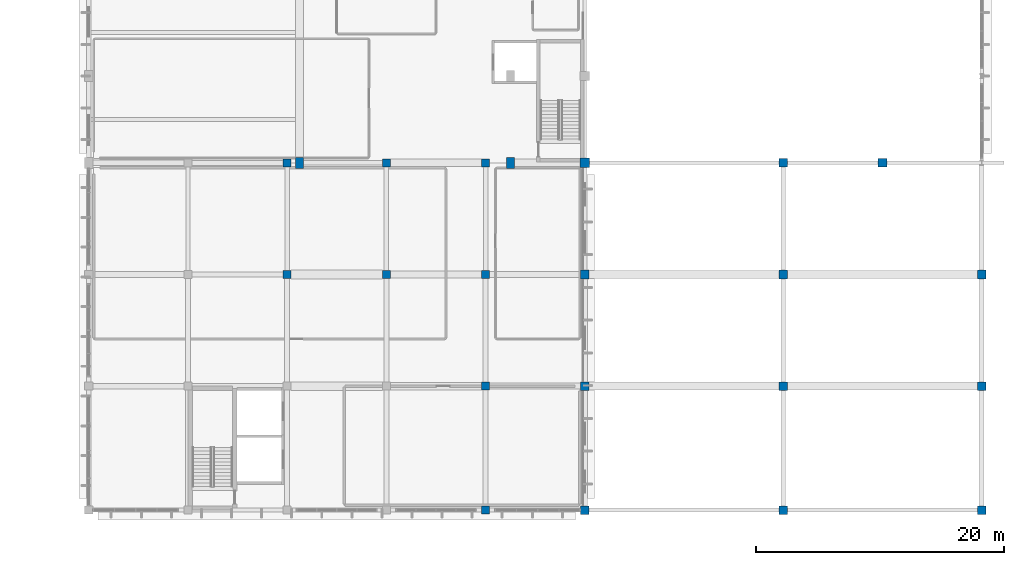
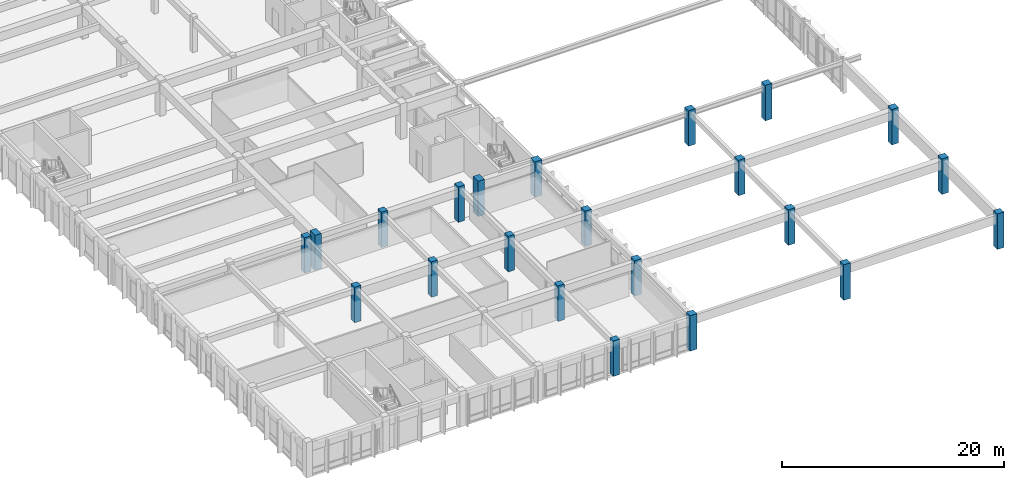
# One storey, part 2 of 98: 22 columns.
"""IFC4 building model written with IfcOpenShell, lengths in metres."""

import ifcopenshell
import ifcopenshell.guid

model = None  # the IFC model being written
_history = None  # IfcOwnerHistory: only IFC2X3 demands one
_inside = {}  # id of a spatial element -> (the spatial element, [elements in it])
_under = {}  # id of a project, library or spatial element -> (it, [spatial elements below it])
_declared = {}  # id of a project -> (the project, [libraries it declares])
_typed = {}  # id of a type object -> (the type object, [elements of that type])
_made_of = {}  # id of a material, layer set ... -> (it, [elements and type objects made of it])


def new_model(schema):
    """Start an empty IFC model of exactly this schema.

    Asked for "IFC4X3", IfcOpenShell would pick the latest addendum, in which some entities
    have other attributes; the version numbers below select the first issue.
    IFC2X3 requires an IfcOwnerHistory on every rooted entity: one is made here for all.
    """
    global model, _history
    if schema == "IFC4X3":
        model = ifcopenshell.file(schema_version=(4, 3, 0, 0))
    else:
        model = ifcopenshell.file(schema=schema)
    _inside.clear()
    _under.clear()
    _declared.clear()
    _typed.clear()
    _made_of.clear()
    _history = None
    if model.schema == "IFC2X3":
        org = make("IfcOrganization", Name="unknown")
        user = make(
            "IfcPersonAndOrganization",
            ThePerson=make("IfcPerson", FamilyName="unknown"),
            TheOrganization=org,
        )
        app = make(
            "IfcApplication",
            ApplicationDeveloper=org,
            Version="unknown",
            ApplicationFullName="unknown",
            ApplicationIdentifier="unknown",
        )
        _history = make(
            "IfcOwnerHistory",
            OwningUser=user,
            OwningApplication=app,
            ChangeAction="ADDED",
            CreationDate=0,
        )
    return model


def make(cls, **values):
    """One entity of the class cls with the attributes given. An attribute that is None is left unset."""
    return model.create_entity(
        cls, **{name: value for name, value in values.items() if value is not None}
    )


def rooted(cls, **values):
    """An entity with a GlobalId (a new one), such as an element, a storey or a relation."""
    return make(cls, GlobalId=ifcopenshell.guid.new(), OwnerHistory=_history, **values)


def si_unit(unit_type, name, prefix=None):
    """IfcSIUnit, for example si_unit("LENGTHUNIT", "METRE", prefix="MILLI")."""
    return make("IfcSIUnit", UnitType=unit_type, Prefix=prefix, Name=name)


def assignment(units):
    """IfcUnitAssignment: the units of a project."""
    return None if units is None else make("IfcUnitAssignment", Units=units)


def point(xyz):
    """IfcCartesianPoint."""
    return None if xyz is None else make("IfcCartesianPoint", Coordinates=xyz)


def direction(xyz):
    """IfcDirection."""
    return None if xyz is None else make("IfcDirection", DirectionRatios=xyz)


def frame(location, z_axis=None, x_axis=None):
    """IfcAxis2Placement3D, a coordinate frame: its origin and axes. An axis left out is left unset."""
    return make(
        "IfcAxis2Placement3D",
        Location=point(location),
        Axis=direction(z_axis),
        RefDirection=direction(x_axis),
    )


def frame_2d(location, x_axis=None):
    """IfcAxis2Placement2D, a coordinate frame in the plane: its origin and x axis."""
    return make(
        "IfcAxis2Placement2D", Location=point(location), RefDirection=direction(x_axis)
    )


def origin():
    """The frame at (0, 0, 0) with its axes left unset."""
    return frame((0.0, 0.0, 0.0))


def origin_2d():
    """The frame at (0, 0) in the plane with its x axis left unset."""
    return frame_2d((0.0, 0.0))


def place(relative_to, where):
    """IfcLocalPlacement: puts the frame where relative to a parent placement (None: the world)."""
    return make(
        "IfcLocalPlacement", PlacementRelTo=relative_to, RelativePlacement=where
    )


def context(
    kind, dimensions, precision=None, world=None, true_north=None, identifier=None
):
    """IfcGeometricRepresentationContext, for example the 3D "Model" context."""
    return make(
        "IfcGeometricRepresentationContext",
        ContextIdentifier=identifier,
        ContextType=kind,
        CoordinateSpaceDimension=dimensions,
        Precision=precision,
        WorldCoordinateSystem=world,
        TrueNorth=true_north,
    )


def subcontext(parent, identifier, kind, view, scale=None):
    """IfcGeometricRepresentationSubContext, for example "Body" below "Model"."""
    return make(
        "IfcGeometricRepresentationSubContext",
        ContextIdentifier=identifier,
        ContextType=kind,
        ParentContext=parent,
        TargetScale=scale,
        TargetView=view,
    )


def project(units=None, contexts=None):
    """IfcProject with its units and contexts."""
    return rooted(
        "IfcProject",
        Name="project",
        RepresentationContexts=contexts,
        UnitsInContext=assignment(units),
    )


def spatial(cls, under=None, at=None, **own):
    """A site, building, storey or space (cls), placed at a placement, below another one or the project."""
    s = rooted(cls, ObjectPlacement=at, **own)
    if under is not None:
        _under.setdefault(under.id(), (under, []))[1].append(s)
    return s


def profile(cls, at=None, kind="AREA", **sizes):
    """A parametric profile (cls). Its sizes go by their IFC names, for example OverallWidth=200.0."""
    return make(cls, ProfileType=kind, Position=at, **sizes)


def rectangle(**sizes):
    """IfcRectangleProfileDef."""
    return profile("IfcRectangleProfileDef", **sizes)


def extrude(swept, where, along, depth):
    """IfcExtrudedAreaSolid: the profile swept, set in the frame where, extruded along a direction by depth."""
    return make(
        "IfcExtrudedAreaSolid",
        SweptArea=swept,
        Position=where,
        ExtrudedDirection=direction(along),
        Depth=depth,
    )


def shape(context_of_items, identifier, shape_type, items):
    """IfcShapeRepresentation: the items that make up one representation, for example the "Body"."""
    return make(
        "IfcShapeRepresentation",
        ContextOfItems=context_of_items,
        RepresentationIdentifier=identifier,
        RepresentationType=shape_type,
        Items=items,
    )


def material(Name=None, Category=None):
    """IfcMaterial."""
    return make("IfcMaterial", Name=Name, Category=Category)


def material_profile(
    of_material, cross_section, Name=None, Category=None, Priority=None
):
    """IfcMaterialProfile: a cross section and its material."""
    return make(
        "IfcMaterialProfile",
        Name=Name,
        Material=of_material,
        Profile=cross_section,
        Priority=Priority,
        Category=Category,
    )


def profile_set(profiles, Name=None, composite=None):
    """IfcMaterialProfileSet."""
    return make(
        "IfcMaterialProfileSet",
        Name=Name,
        MaterialProfiles=profiles,
        CompositeProfile=composite,
    )


def made_of(thing, what):
    """Note that an element or type object is made of a material, layer set ...; save() writes the relation."""
    if what is not None:
        _made_of.setdefault(what.id(), (what, []))[1].append(thing)
    return thing


def type_object(cls, material=None, **own):
    """A type object (cls), such as IfcWallType, which elements share."""
    return made_of(rooted(cls, **own), material)


def element(
    cls,
    number,
    at=None,
    inside=None,
    cuts=None,
    type_object=None,
    material=None,
    context=None,
    identifier="Body",
    shape_type=None,
    held_by="IfcProductDefinitionShape",
    body=None,
    shapes=None,
    **own,
):
    """One element of the class cls, such as IfcWall. Its Tag is "e" and its number.

    at: its placement. inside: the storey or other place that contains it. cuts: it is an
    opening in that element (IfcRelVoidsElement). A single representation is given by context,
    identifier, shape_type and body (its items); several are given by shapes. held_by: the class
    of the entity that holds the representations. save() writes the other relations.
    """
    e = rooted(cls, Tag="e%d" % number, ObjectPlacement=at, **own)
    if body is not None:
        shapes = [shape(context, identifier, shape_type, body)]
    if shapes is not None:
        e.Representation = make(held_by, Representations=shapes)
    if inside is not None:
        _inside.setdefault(inside.id(), (inside, []))[1].append(e)
    if cuts is not None:
        rooted(
            "IfcRelVoidsElement", RelatingBuildingElement=cuts, RelatedOpeningElement=e
        )
    if type_object is not None:
        _typed.setdefault(type_object.id(), (type_object, []))[1].append(e)
    return made_of(e, material)


def aggregate(whole, parts):
    """IfcRelAggregates: a whole, such as a stair, and the parts it consists of."""
    return rooted("IfcRelAggregates", RelatingObject=whole, RelatedObjects=parts)


def save(model, path):
    """Write the relations noted so far, then the file.

    IfcRelAggregates (storeys below a building ...), IfcRelContainedInSpatialStructure (elements
    in a storey), IfcRelDefinesByType, IfcRelAssociatesMaterial and IfcRelDeclares: one each for
    every whole, place, type object, material and project.
    """
    for whole, parts in _under.values():
        aggregate(whole, parts)
    for where, things in _inside.values():
        rooted(
            "IfcRelContainedInSpatialStructure",
            RelatedElements=things,
            RelatingStructure=where,
        )
    for kind, things in _typed.values():
        rooted("IfcRelDefinesByType", RelatedObjects=things, RelatingType=kind)
    for what, things in _made_of.values():
        rooted("IfcRelAssociatesMaterial", RelatedObjects=things, RelatingMaterial=what)
    for by, libraries in _declared.values():
        rooted("IfcRelDeclares", RelatingContext=by, RelatedDefinitions=libraries)
    model.write(path)


model = new_model("IFC4")

# Units and contexts
model_context = context("Model", 3, precision=1e-05, world=origin(), true_north=direction((0.0, 1.0)))
body_context = subcontext(model_context, "Body", "Model", "MODEL_VIEW")
ifc_project = project(units=[si_unit("LENGTHUNIT", "METRE"), si_unit("AREAUNIT", "SQUARE_METRE"), si_unit("VOLUMEUNIT", "CUBIC_METRE"), si_unit("PLANEANGLEUNIT", "RADIAN"), si_unit("MASSUNIT", "GRAM", prefix="KILO")], contexts=[model_context])

# Site, building, storey
site_placement = place(None, origin())
site = spatial("IfcSite", under=ifc_project, at=site_placement, CompositionType="ELEMENT")
building_placement = place(site_placement, origin())
building = spatial("IfcBuilding", under=site, at=building_placement, Name="Larkveld Mobility Hub", CompositionType="ELEMENT")
storey_placement = place(building_placement, frame((0.0, 0.0, 4.5)))
storey = spatial("IfcBuildingStorey", under=building, at=storey_placement, Name="L01", CompositionType="ELEMENT", Elevation=4.5)

# Columns
ifc_material_1 = material(Name="Precast concrete C50/60", Category="concrete")
ifc_material_profile_1 = material_profile(ifc_material_1, rectangle(XDim=0.64990234375, YDim=0.89990234375, at=origin_2d()), Name="RC COL 650x900")
ifc_profile_set_1 = profile_set([ifc_material_profile_1], Name="Precast concrete C50/60")
column_type_1 = type_object("IfcColumnType", Name="CL-PC6590", PredefinedType="COLUMN", material=ifc_profile_set_1)
for number, where, z_axis, x_axis, name in (
    (1, (129.0, 28.0, 0.0), (0.0, 0.0, 1.0), (1.0, 0.0, 0.0), "Column EV-X129-Y28 (L01)"),
    (2, (146.0, 28.0, 0.0), (0.0, 0.0, 1.0), (1.0, 0.0, 0.0), "Column EV-X146-Y28 (L01)"),
):
    element("IfcColumn", number, at=place(storey_placement, frame(where, z_axis=z_axis, x_axis=x_axis)), inside=storey, type_object=column_type_1, Name=name, PredefinedType="COLUMN", context=body_context, shape_type="SweptSolid", body=[
        extrude(rectangle(XDim=0.64990234375, YDim=0.89990234375, at=origin_2d()), origin(), (0.0, 0.0, 1.0), 3.89990234375),
    ])
ifc_material_2 = material(Name="Concrete C40/50", Category="concrete")
ifc_material_profile_2 = material_profile(ifc_material_2, rectangle(XDim=0.64990234375, YDim=0.64990234375, at=origin_2d()), Name="RC COL 650x650")
ifc_profile_set_2 = profile_set([ifc_material_profile_2], Name="Concrete C40/50")
column_type_2 = type_object("IfcColumnType", Name="CL-RC650", PredefinedType="COLUMN", material=ifc_profile_set_2)
for number, where, z_axis, x_axis, name in (
    (3, (128.0, 19.0, 0.0), (0.0, 0.0, 1.0), (1.0, 0.0, 0.0), "Column V6-X128-Y19 (L01)"),
    (4, (128.0, 28.0, 0.0), (0.0, 0.0, 1.0), (1.0, 0.0, 0.0), "Column V6-X128-Y28 (L01)"),
    (5, (136.0, 19.0, 0.0), (0.0, 0.0, 1.0), (1.0, 0.0, 0.0), "Column V6-X136-Y19 (L01)"),
    (6, (136.0, 28.0, 0.0), (0.0, 0.0, 1.0), (1.0, 0.0, 0.0), "Column V6-X136-Y28 (L01)"),
    (7, (144.0, 0.0, 0.0), (0.0, 0.0, 1.0), (1.0, 0.0, 0.0), "Column V6-X144-Y0 (L01)"),
    (8, (144.0, 10.0, 0.0), (0.0, 0.0, 1.0), (1.0, 0.0, 0.0), "Column V6-X144-Y10 (L01)"),
    (9, (144.0, 19.0, 0.0), (0.0, 0.0, 1.0), (1.0, 0.0, 0.0), "Column V6-X144-Y19 (L01)"),
    (10, (144.0, 28.0, 0.0), (0.0, 0.0, 1.0), (1.0, 0.0, 0.0), "Column V6-X144-Y28 (L01)"),
):
    element("IfcColumn", number, at=place(storey_placement, frame(where, z_axis=z_axis, x_axis=x_axis)), inside=storey, type_object=column_type_2, Name=name, PredefinedType="COLUMN", context=body_context, shape_type="SweptSolid", body=[
        extrude(rectangle(XDim=0.64990234375, YDim=0.64990234375, at=origin_2d()), origin(), (0.0, 0.0, 1.0), 3.89990234375),
    ])
ifc_material_profile_3 = material_profile(ifc_material_2, rectangle(XDim=0.699951171875, YDim=0.699951171875, at=origin_2d()), Name="RC COL 700x700")
ifc_profile_set_3 = profile_set([ifc_material_profile_3], Name="Concrete C40/50")
column_type_3 = type_object("IfcColumnType", Name="CL-RC700", PredefinedType="COLUMN", material=ifc_profile_set_3)
for number, where, z_axis, x_axis, name in (
    (11, (152.0, 0.0, 0.0), (0.0, 0.0, 1.0), (1.0, 0.0, 0.0), "Column V6-X152-Y0 (L01)"),
    (12, (152.0, 10.0, 0.0), (0.0, 0.0, 1.0), (1.0, 0.0, 0.0), "Column V6-X152-Y10 (L01)"),
    (13, (152.0, 19.0, 0.0), (0.0, 0.0, 1.0), (1.0, 0.0, 0.0), "Column V6-X152-Y19 (L01)"),
    (14, (168.0, 0.0, 0.0), (0.0, 0.0, 1.0), (1.0, 0.0, 0.0), "Column V6-X168-Y0 (L01)"),
    (15, (168.0, 10.0, 0.0), (0.0, 0.0, 1.0), (1.0, 0.0, 0.0), "Column V6-X168-Y10 (L01)"),
    (16, (168.0, 19.0, 0.0), (0.0, 0.0, 1.0), (1.0, 0.0, 0.0), "Column V6-X168-Y19 (L01)"),
    (17, (168.0, 28.0, 0.0), (0.0, 0.0, 1.0), (1.0, 0.0, 0.0), "Column V6-X168-Y28 (L01)"),
    (18, (176.0, 28.0, 0.0), (0.0, 0.0, 1.0), (1.0, 0.0, 0.0), "Column V6-X176-Y28 (L01)"),
    (19, (184.0, 0.0, 0.0), (0.0, 0.0, 1.0), (1.0, 0.0, 0.0), "Column V6-X184-Y0 (L01)"),
    (20, (184.0, 10.0, 0.0), (0.0, 0.0, 1.0), (1.0, 0.0, 0.0), "Column V6-X184-Y10 (L01)"),
    (21, (184.0, 19.0, 0.0), (0.0, 0.0, 1.0), (1.0, 0.0, 0.0), "Column V6-X184-Y19 (L01)"),
):
    element("IfcColumn", number, at=place(storey_placement, frame(where, z_axis=z_axis, x_axis=x_axis)), inside=storey, type_object=column_type_3, Name=name, PredefinedType="COLUMN", context=body_context, shape_type="SweptSolid", body=[
        extrude(rectangle(XDim=0.699951171875, YDim=0.699951171875, at=origin_2d()), origin(), (0.0, 0.0, 1.0), 3.89990234375),
    ])
ifc_material_profile_4 = material_profile(ifc_material_2, rectangle(XDim=0.75, YDim=0.75, at=origin_2d()), Name="RC COL 750x750")
ifc_profile_set_4 = profile_set([ifc_material_profile_4], Name="Concrete C40/50")
column_type_4 = type_object("IfcColumnType", Name="CL-RC750", PredefinedType="COLUMN", material=ifc_profile_set_4)
column_placement = place(storey_placement, frame((152.0, 28.0, 0.0), z_axis=(0.0, 0.0, 1.0), x_axis=(1.0, 0.0, 0.0)))
element("IfcColumn", 22, at=column_placement, inside=storey, type_object=column_type_4, Name="Column EV-X152-Y28 (L01)", PredefinedType="COLUMN", context=body_context, shape_type="SweptSolid", body=[
    extrude(rectangle(XDim=0.75, YDim=0.75, at=origin_2d()), origin(), (0.0, 0.0, 1.0), 3.89990234375),
])

save(model, "model.ifc")
